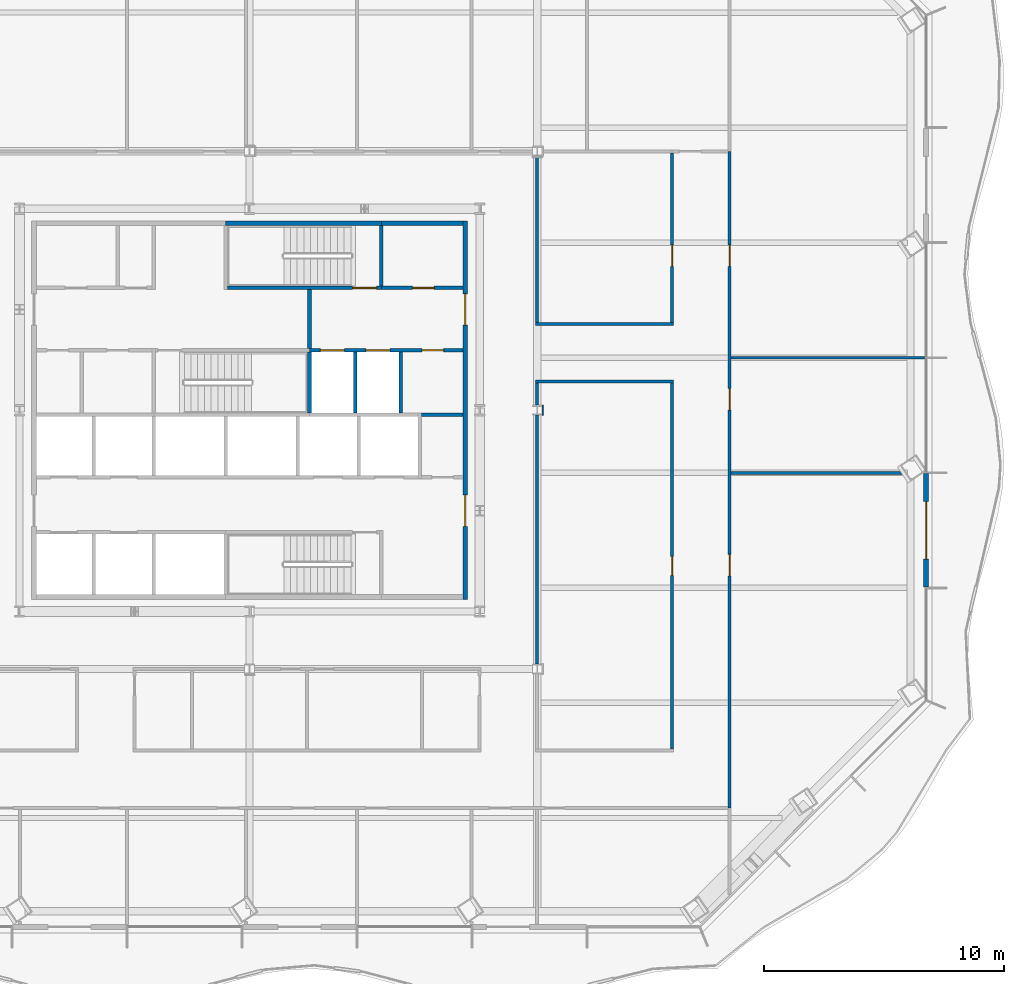
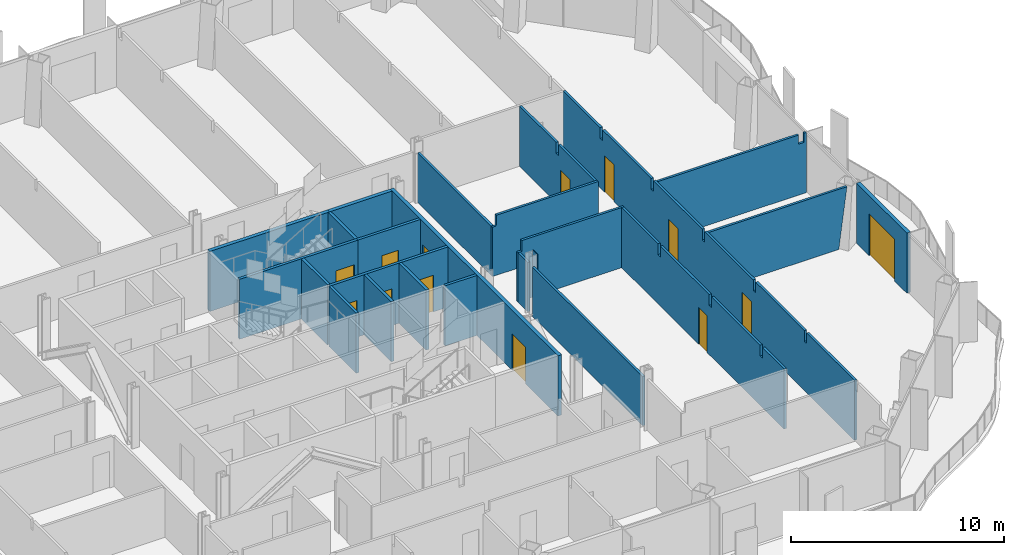
# One storey, part 11 of 22: 24 walls, 13 doors, 13 openings.
"""IFC4 building model written with IfcOpenShell, lengths in metres."""

from ifc_helpers import new_model, si_unit, direction, frame, frame_2d, origin, place, context, subcontext, project, spatial, polyline, rectangle, outline, extrude, material, layer, layer_set, type_object, element, fill, save


model = new_model("IFC4")

# Units and contexts
model_context = context("Model", 3, precision=1e-05, world=origin(), true_north=direction((0.0, 1.0)))
body_context = subcontext(model_context, "Body", "Model", "MODEL_VIEW")
ifc_project = project(units=[si_unit("LENGTHUNIT", "METRE"), si_unit("AREAUNIT", "SQUARE_METRE"), si_unit("VOLUMEUNIT", "CUBIC_METRE"), si_unit("PLANEANGLEUNIT", "RADIAN"), si_unit("MASSUNIT", "GRAM", prefix="KILO")], contexts=[model_context])

# Site, building, storey
site_placement = place(None, origin())
site = spatial("IfcSite", under=ifc_project, at=site_placement, CompositionType="ELEMENT")
building_placement = place(site_placement, origin())
building = spatial("IfcBuilding", under=site, at=building_placement, Name="Cairn Pilgrim Tower", CompositionType="ELEMENT")
storey_placement = place(building_placement, frame((0.0, 0.0, 112.199951171875)))
storey = spatial("IfcBuildingStorey", under=building, at=storey_placement, Name="L27", CompositionType="ELEMENT", Elevation=112.199951171875)

# Wall, opening, door
ifc_material_1 = material(Name="Bronze anodised aluminium insulated sandwich panel with mineral wool fill", Category="aluminium")
ifc_layer_1 = layer(ifc_material_1, 0.199951171875)
ifc_layer_set_1 = layer_set([ifc_layer_1], Name="BRONZE INFILL FRAME WALL 200")
wall_type_1 = type_object("IfcWallType", Name="BRONZE INFILL FRAME WALL 200", PredefinedType="NOTDEFINED", material=ifc_layer_set_1)
wall_1_placement = place(storey_placement, frame((35.429443359375, -4.983642578125, 0.0), z_axis=(0.0, 0.0, 1.0), x_axis=(0.0, 1.0, 0.0)))
wall_1 = element("IfcWall", 1, at=wall_1_placement, inside=storey, type_object=wall_type_1, Name="Bronze infill frame wall IW-E2", PredefinedType="NOTDEFINED", context=body_context, shape_type="SweptSolid", body=[
    extrude(rectangle(XDim=4.739990234375, YDim=0.199951171875, at=frame_2d((2.3701171875, 0.0))), origin(), (0.0, 0.0, 1.0), 3.449951171875),
])
opening_1_placement = place(wall_1_placement, frame((1.169677734375, 0.0, 0.0)))
opening_1 = element("IfcOpeningElement", 2, at=opening_1_placement, cuts=wall_1, Name="Opening 2724B", PredefinedType="OPENING", context=body_context, shape_type="SweptSolid", body=[
    extrude(rectangle(XDim=2.39990234375, YDim=2.39990234375, at=frame_2d((1.199951171875, 1.199951171875))), frame((0.0, 0.10986328125, 0.0), z_axis=(0.0, -1.0, 0.0), x_axis=(1.0, 0.0, 0.0)), (0.0, 0.0, 1.0), 0.219970703125),
])
ifc_material_2 = material(Name="Bronze anodised aluminium frame with tinted low-E glass", Category="aluminium")
door_type_1 = type_object("IfcDoorType", Name="BALCONY SLIDING DOOR 2400x2400", OperationType="DOUBLE_DOOR_SLIDING", PredefinedType="DOOR", material=ifc_material_2)
door_1_placement = place(opening_1_placement, origin())
door_1 = element("IfcDoor", 3, at=door_1_placement, inside=storey, type_object=door_type_1, Name="Balcony sliding door 2724B", OperationType="SINGLE_SWING_LEFT", OverallHeight=2.39990234375, OverallWidth=2.39990234375, PredefinedType="DOOR", context=body_context, shape_type="SweptSolid", body=[
    extrude(rectangle(XDim=2.39990234375, YDim=2.39990234375, at=frame_2d((1.199951171875, 1.199951171875))), frame((0.0, 0.02490234375, 0.0), z_axis=(0.0, -1.0, 0.0), x_axis=(1.0, 0.0, 0.0)), (0.0, 0.0, 1.0), 0.050048828125),
])
fill(opening_1, door_1)

# Wall
ifc_material_3 = material(Name="Concrete C32/40", Category="concrete")
ifc_layer_2 = layer(ifc_material_3, 0.199951171875)
ifc_layer_set_2 = layer_set([ifc_layer_2], Name="CORE OUTER WALL 200 EI 120")
wall_type_2 = type_object("IfcWallType", Name="CORE OUTER WALL 200 EI 120", PredefinedType="SOLIDWALL", material=ifc_layer_set_2)
wall_2_placement = place(storey_placement, frame((12.699951171875, 10.199951171875, 0.0), z_axis=(0.0, 0.0, 1.0), x_axis=(1.0, 0.0, 0.0)))
element("IfcWall", 4, at=wall_2_placement, inside=storey, type_object=wall_type_2, Name="CW:L27:H11-3", PredefinedType="SOLIDWALL", context=body_context, shape_type="SweptSolid", body=[
    extrude(rectangle(XDim=3.400146484375, YDim=0.199951171875, at=frame_2d((1.7001953125, 0.0))), origin(), (0.0, 0.0, 1.0), 3.449951171875),
])

# Wall, openings, doors
wall_3_placement = place(storey_placement, frame((16.199951171875, -5.5, 0.0), z_axis=(0.0, 0.0, 1.0), x_axis=(0.0, 1.0, 0.0)))
wall_3 = element("IfcWall", 5, at=wall_3_placement, inside=storey, type_object=wall_type_2, Name="CW:L27:V33", PredefinedType="SOLIDWALL", context=body_context, shape_type="SweptSolid", body=[
    extrude(rectangle(XDim=15.800048828125, YDim=0.199951171875, at=frame_2d((7.89990234375, 0.0))), origin(), (0.0, 0.0, 1.0), 3.449951171875),
])
opening_2_placement = place(wall_3_placement, frame((3.050048828125, 0.0, 0.0)))
opening_2 = element("IfcOpeningElement", 6, at=opening_2_placement, cuts=wall_3, Name="Opening CD-E1", PredefinedType="OPENING", context=body_context, shape_type="SweptSolid", body=[
    extrude(rectangle(XDim=1.300048828125, YDim=2.10009765625, at=frame_2d((0.64990234375, 1.050048828125))), frame((0.0, 0.10986328125, 0.0), z_axis=(0.0, -1.0, 0.0), x_axis=(1.0, 0.0, 0.0)), (0.0, 0.0, 1.0), 0.219970703125),
])
opening_3_placement = place(wall_3_placement, frame((11.449951171875, 0.0, 0.0)))
opening_3 = element("IfcOpeningElement", 7, at=opening_3_placement, cuts=wall_3, Name="Opening CD-E2", PredefinedType="OPENING", context=body_context, shape_type="SweptSolid", body=[
    extrude(rectangle(XDim=1.300048828125, YDim=2.10009765625, at=frame_2d((0.64990234375, 1.050048828125))), frame((0.0, 0.10986328125, 0.0), z_axis=(0.0, -1.0, 0.0), x_axis=(1.0, 0.0, 0.0)), (0.0, 0.0, 1.0), 0.219970703125),
])
ifc_material_4 = material(Name="Painted steel", Category="steel")
door_type_2 = type_object("IfcDoorType", Name="CORE LOBBY DOOR 1300x2100", OperationType="DOUBLE_DOOR_SINGLE_SWING", PredefinedType="DOOR", material=ifc_material_4)
door_2_placement = place(opening_2_placement, origin())
door_2 = element("IfcDoor", 8, at=door_2_placement, inside=storey, type_object=door_type_2, Name="CD-E1", OperationType="DOUBLE_DOOR_SINGLE_SWING", OverallHeight=2.10009765625, OverallWidth=1.300048828125, PredefinedType="DOOR", context=body_context, shape_type="SweptSolid", body=[
    extrude(rectangle(XDim=1.300048828125, YDim=2.10009765625, at=frame_2d((0.64990234375, 1.050048828125))), frame((0.0, 0.02490234375, 0.0), z_axis=(0.0, -1.0, 0.0), x_axis=(1.0, 0.0, 0.0)), (0.0, 0.0, 1.0), 0.050048828125),
])
fill(opening_2, door_2)
door_3_placement = place(opening_3_placement, origin())
door_3 = element("IfcDoor", 9, at=door_3_placement, inside=storey, type_object=door_type_2, Name="CD-E2", OperationType="DOUBLE_DOOR_SINGLE_SWING", OverallHeight=2.10009765625, OverallWidth=1.300048828125, PredefinedType="DOOR", context=body_context, shape_type="SweptSolid", body=[
    extrude(rectangle(XDim=1.300048828125, YDim=2.10009765625, at=frame_2d((0.64990234375, 1.050048828125))), frame((0.0, 0.02490234375, 0.0), z_axis=(0.0, -1.0, 0.0), x_axis=(1.0, 0.0, 0.0)), (0.0, 0.0, 1.0), 0.050048828125),
])
fill(opening_3, door_3)

# Wall
ifc_layer_3 = layer(ifc_material_3, 0.14990234375)
ifc_layer_set_3 = layer_set([ifc_layer_3], Name="CORE PARTITION 150 EI 60")
wall_type_3 = type_object("IfcWallType", Name="CORE PARTITION 150 EI 60", PredefinedType="PARTITIONING", material=ifc_layer_set_3)
wall_4_placement = place(storey_placement, frame((14.375, 2.199951171875, 0.0), z_axis=(0.0, 0.0, 1.0), x_axis=(1.0, 0.0, 0.0)))
element("IfcWall", 10, at=wall_4_placement, inside=storey, type_object=wall_type_3, Name="CW:L27:H06", PredefinedType="PARTITIONING", context=body_context, shape_type="SweptSolid", body=[
    extrude(rectangle(XDim=1.72509765625, YDim=0.14990234375, at=frame_2d((0.862548828125, 0.0))), origin(), (0.0, 0.0, 1.0), 3.449951171875),
])

# Wall, openings, doors
ifc_layer_4 = layer(ifc_material_3, 0.14990234375)
ifc_layer_set_4 = layer_set([ifc_layer_4], Name="CORE SHAFT WALL 150 EI 120")
wall_type_4 = type_object("IfcWallType", Name="CORE SHAFT WALL 150 EI 120", PredefinedType="SOLIDWALL", material=ifc_layer_set_4)
wall_5_placement = place(storey_placement, frame((9.699951171875, 4.89990234375, 0.0), z_axis=(0.0, 0.0, 1.0), x_axis=(1.0, 0.0, 0.0)))
wall_5 = element("IfcWall", 11, at=wall_5_placement, inside=storey, type_object=wall_type_4, Name="CW:L27:H08-2", PredefinedType="SOLIDWALL", context=body_context, shape_type="SweptSolid", body=[
    extrude(rectangle(XDim=6.400146484375, YDim=0.14990234375, at=frame_2d((3.2001953125, 0.0))), origin(), (0.0, 0.0, 1.0), 3.449951171875),
])
opening_4_placement = place(wall_5_placement, frame((0.449951171875, 0.0, 0.0)))
opening_4 = element("IfcOpeningElement", 12, at=opening_4_placement, cuts=wall_5, Name="Opening LD-FF1", PredefinedType="OPENING", context=body_context, shape_type="SweptSolid", body=[
    extrude(rectangle(XDim=1.0, YDim=2.10009765625, at=frame_2d((0.5, 1.050048828125))), frame((0.0, 0.0849609375, 0.0), z_axis=(0.0, -1.0, 0.0), x_axis=(1.0, 0.0, 0.0)), (0.0, 0.0, 1.0), 0.169921875),
])
opening_5_placement = place(wall_5_placement, frame((2.35009765625, 0.0, 0.0)))
opening_5 = element("IfcOpeningElement", 13, at=opening_5_placement, cuts=wall_5, Name="Opening LD-FF2", PredefinedType="OPENING", context=body_context, shape_type="SweptSolid", body=[
    extrude(rectangle(XDim=1.0, YDim=2.10009765625, at=frame_2d((0.5, 1.050048828125))), frame((0.0, 0.0849609375, 0.0), z_axis=(0.0, -1.0, 0.0), x_axis=(1.0, 0.0, 0.0)), (0.0, 0.0, 1.0), 0.169921875),
])
opening_6_placement = place(wall_5_placement, frame((4.699951171875, 0.0, 0.0)))
opening_6 = element("IfcOpeningElement", 14, at=opening_6_placement, cuts=wall_5, Name="Opening RD-R3E", PredefinedType="OPENING", context=body_context, shape_type="SweptSolid", body=[
    extrude(rectangle(XDim=0.89990234375, YDim=2.10009765625, at=frame_2d((0.449951171875, 1.050048828125))), frame((0.0, 0.0849609375, 0.0), z_axis=(0.0, -1.0, 0.0), x_axis=(1.0, 0.0, 0.0)), (0.0, 0.0, 1.0), 0.169921875),
])
ifc_material_5 = material(Name="Stainless steel", Category="steel")
door_type_3 = type_object("IfcDoorType", Name="LIFT LANDING DOOR FIRE 1000x2100", OperationType="DOUBLE_DOOR_SLIDING", PredefinedType="DOOR", material=ifc_material_5)
door_4_placement = place(opening_4_placement, origin())
door_4 = element("IfcDoor", 15, at=door_4_placement, inside=storey, type_object=door_type_3, Name="LANDING DOOR FF1", OperationType="DOUBLE_DOOR_SLIDING", OverallHeight=2.10009765625, OverallWidth=1.0, PredefinedType="DOOR", context=body_context, shape_type="SweptSolid", body=[
    extrude(rectangle(XDim=1.0, YDim=2.10009765625, at=frame_2d((0.5, 1.050048828125))), frame((0.0, 0.02490234375, 0.0), z_axis=(0.0, -1.0, 0.0), x_axis=(1.0, 0.0, 0.0)), (0.0, 0.0, 1.0), 0.050048828125),
])
fill(opening_4, door_4)
door_5_placement = place(opening_5_placement, origin())
door_5 = element("IfcDoor", 16, at=door_5_placement, inside=storey, type_object=door_type_3, Name="LANDING DOOR FF2", OperationType="DOUBLE_DOOR_SLIDING", OverallHeight=2.10009765625, OverallWidth=1.0, PredefinedType="DOOR", context=body_context, shape_type="SweptSolid", body=[
    extrude(rectangle(XDim=1.0, YDim=2.10009765625, at=frame_2d((0.5, 1.050048828125))), frame((0.0, 0.02490234375, 0.0), z_axis=(0.0, -1.0, 0.0), x_axis=(1.0, 0.0, 0.0)), (0.0, 0.0, 1.0), 0.050048828125),
])
fill(opening_5, door_5)
door_type_4 = type_object("IfcDoorType", Name="SERVICE ROOM DOOR 900x2100", OperationType="SINGLE_SWING_LEFT", PredefinedType="DOOR", material=ifc_material_4)
door_6_placement = place(opening_6_placement, origin())
door_6 = element("IfcDoor", 17, at=door_6_placement, inside=storey, type_object=door_type_4, Name="RD-R3E", OperationType="SINGLE_SWING_LEFT", OverallHeight=2.10009765625, OverallWidth=0.89990234375, PredefinedType="DOOR", context=body_context, shape_type="SweptSolid", body=[
    extrude(rectangle(XDim=0.89990234375, YDim=2.10009765625, at=frame_2d((0.449951171875, 1.050048828125))), frame((0.0, 0.02490234375, 0.0), z_axis=(0.0, -1.0, 0.0), x_axis=(1.0, 0.0, 0.0)), (0.0, 0.0, 1.0), 0.050048828125),
])
fill(opening_6, door_6)

# Wall, opening, door
wall_6_placement = place(storey_placement, frame((12.699951171875, 7.5, 0.0), z_axis=(0.0, 0.0, 1.0), x_axis=(1.0, 0.0, 0.0)))
wall_6 = element("IfcWall", 18, at=wall_6_placement, inside=storey, type_object=wall_type_4, Name="CW:L27:H10-2", PredefinedType="SOLIDWALL", context=body_context, shape_type="SweptSolid", body=[
    extrude(rectangle(XDim=3.400146484375, YDim=0.14990234375, at=frame_2d((1.7001953125, 0.0))), origin(), (0.0, 0.0, 1.0), 3.449951171875),
])
opening_7_placement = place(wall_6_placement, frame((1.300048828125, 0.0, 0.0)))
opening_7 = element("IfcOpeningElement", 19, at=opening_7_placement, cuts=wall_6, Name="Opening RD-R4E", PredefinedType="OPENING", context=body_context, shape_type="SweptSolid", body=[
    extrude(rectangle(XDim=0.89990234375, YDim=2.10009765625, at=frame_2d((0.449951171875, 1.050048828125))), frame((0.0, 0.0849609375, 0.0), z_axis=(0.0, -1.0, 0.0), x_axis=(1.0, 0.0, 0.0)), (0.0, 0.0, 1.0), 0.169921875),
])
door_7_placement = place(opening_7_placement, origin())
door_7 = element("IfcDoor", 20, at=door_7_placement, inside=storey, type_object=door_type_4, Name="RD-R4E", OperationType="SINGLE_SWING_RIGHT", OverallHeight=2.10009765625, OverallWidth=0.89990234375, PredefinedType="DOOR", context=body_context, shape_type="SweptSolid", body=[
    extrude(rectangle(XDim=0.89990234375, YDim=2.10009765625, at=frame_2d((0.449951171875, 1.050048828125))), frame((0.0, 0.02490234375, 0.0), z_axis=(0.0, -1.0, 0.0), x_axis=(1.0, 0.0, 0.0)), (0.0, 0.0, 1.0), 0.050048828125),
])
fill(opening_7, door_7)

# Walls
wall_7_placement = place(storey_placement, frame((9.699951171875, 4.97509765625, 0.0), z_axis=(0.0, 0.0, 1.0), x_axis=(0.0, 1.0, 0.0)))
element("IfcWall", 21, at=wall_7_placement, inside=storey, type_object=wall_type_4, Name="CW:L27:V26", PredefinedType="SOLIDWALL", context=body_context, shape_type="SweptSolid", body=[
    extrude(rectangle(XDim=2.449951171875, YDim=0.14990234375, at=frame_2d((1.22509765625, 0.0))), origin(), (0.0, 0.0, 1.0), 3.449951171875),
])
for number, where, z_axis, x_axis, name in (
    (22, (11.60009765625, 2.27490234375, 0.0), (0.0, 0.0, 1.0), (0.0, 1.0, 0.0), "CW:L27:V27"),
    (23, (13.5, 2.27490234375, 0.0), (0.0, 0.0, 1.0), (0.0, 1.0, 0.0), "CW:L27:V31"),
):
    element("IfcWall", number, at=place(storey_placement, frame(where, z_axis=z_axis, x_axis=x_axis)), inside=storey, type_object=wall_type_4, Name=name, PredefinedType="SOLIDWALL", context=body_context, shape_type="SweptSolid", body=[
        extrude(rectangle(XDim=2.550048828125, YDim=0.14990234375, at=frame_2d((1.27490234375, 0.0))), origin(), (0.0, 0.0, 1.0), 3.449951171875),
    ])

# Wall, openings, doors
ifc_material_6 = material(Name="Gypsum partition")
ifc_layer_5 = layer(ifc_material_6, 0.125)
ifc_layer_set_5 = layer_set([ifc_layer_5], Name="PARTITION 125 DRYWALL EI 60")
wall_type_5 = type_object("IfcWallType", Name="PARTITION 125 DRYWALL EI 60", PredefinedType="PARTITIONING", material=ifc_layer_set_5)
wall_8_placement = place(storey_placement, frame((27.22998046875, -14.199951171875, 0.0), z_axis=(0.0, 0.0, 1.0), x_axis=(0.0, 1.0, 0.0)))
wall_8 = element("IfcWall", 24, at=wall_8_placement, inside=storey, type_object=wall_type_5, Name="PARTITION W017", PredefinedType="PARTITIONING", context=body_context, shape_type="SweptSolid", body=[
    extrude(outline(polyline([(0.0, 0.0), (27.39990234375, 0.0), (27.39990234375, 3.449951171875), (23.909912109375, 3.449951171875), (23.907958984375, 2.830078125), (23.68994140625, 2.830078125), (23.68798828125, 3.449951171875), (19.110107421875, 3.449951171875), (19.10791015625, 2.830078125), (18.889892578125, 2.830078125), (18.887939453125, 3.449951171875), (14.31005859375, 3.449951171875), (14.30810546875, 2.830078125), (14.090087890625, 2.830078125), (14.087890625, 3.449951171875), (9.510009765625, 3.449951171875), (9.508056640625, 2.830078125), (9.2900390625, 2.830078125), (9.2880859375, 3.449951171875), (4.7099609375, 3.449951171875), (4.7080078125, 2.830078125), (4.489990234375, 2.830078125), (4.488037109375, 3.449951171875), (0.0, 3.449951171875), (0.0, 0.0)])), frame((0.0, 0.0625, 0.0), z_axis=(0.0, -1.0, 0.0), x_axis=(1.0, 0.0, 0.0)), (0.0, 0.0, 1.0), 0.125),
])
opening_8_placement = place(wall_8_placement, frame((9.68603515625, 0.0, 0.0)))
opening_8 = element("IfcOpeningElement", 25, at=opening_8_placement, cuts=wall_8, Name="Opening 2724", PredefinedType="OPENING", context=body_context, shape_type="SweptSolid", body=[
    extrude(rectangle(XDim=0.89990234375, YDim=2.10009765625, at=frame_2d((0.449951171875, 1.050048828125))), frame((0.0, 0.072509765625, 0.0), z_axis=(0.0, -1.0, 0.0), x_axis=(1.0, 0.0, 0.0)), (0.0, 0.0, 1.0), 0.14501953125),
])
opening_9_placement = place(wall_8_placement, frame((16.60009765625, 0.0, 0.0)))
opening_9 = element("IfcOpeningElement", 26, at=opening_9_placement, cuts=wall_8, Name="Opening 2725", PredefinedType="OPENING", context=body_context, shape_type="SweptSolid", body=[
    extrude(rectangle(XDim=0.89990234375, YDim=2.10009765625, at=frame_2d((0.449951171875, 1.050048828125))), frame((0.0, 0.072509765625, 0.0), z_axis=(0.0, -1.0, 0.0), x_axis=(1.0, 0.0, 0.0)), (0.0, 0.0, 1.0), 0.14501953125),
])
opening_10_placement = place(wall_8_placement, frame((22.60009765625, 0.0, 0.0)))
opening_10 = element("IfcOpeningElement", 27, at=opening_10_placement, cuts=wall_8, Name="Opening 2726", PredefinedType="OPENING", context=body_context, shape_type="SweptSolid", body=[
    extrude(rectangle(XDim=0.89990234375, YDim=2.10009765625, at=frame_2d((0.449951171875, 1.050048828125))), frame((0.0, 0.072509765625, 0.0), z_axis=(0.0, -1.0, 0.0), x_axis=(1.0, 0.0, 0.0)), (0.0, 0.0, 1.0), 0.14501953125),
])
ifc_material_7 = material(Name="Steel-faced fire door leaf", Category="steel")
door_type_5 = type_object("IfcDoorType", Name="FIRE DOOR 900x2100 FD30S", OperationType="NOTDEFINED", PredefinedType="DOOR", material=ifc_material_7)
door_8_placement = place(opening_8_placement, frame((0.89990234375, 0.0, 0.0), z_axis=(0.0, 0.0, 1.0), x_axis=(-1.0, 0.0, 0.0)))
door_8 = element("IfcDoor", 28, at=door_8_placement, inside=storey, type_object=door_type_5, Name="DOOR 2724", OperationType="SINGLE_SWING_LEFT", OverallHeight=2.10009765625, OverallWidth=0.89990234375, PredefinedType="DOOR", context=body_context, shape_type="SweptSolid", body=[
    extrude(rectangle(XDim=0.89990234375, YDim=2.10009765625, at=frame_2d((0.449951171875, 1.050048828125))), frame((0.0, 0.02490234375, 0.0), z_axis=(0.0, -1.0, 0.0), x_axis=(1.0, 0.0, 0.0)), (0.0, 0.0, 1.0), 0.050048828125),
])
fill(opening_8, door_8)
door_9_placement = place(opening_9_placement, frame((0.89990234375, 0.0, 0.0), z_axis=(0.0, 0.0, 1.0), x_axis=(-1.0, 0.0, 0.0)))
door_9 = element("IfcDoor", 29, at=door_9_placement, inside=storey, type_object=door_type_5, Name="DOOR 2725", OperationType="SINGLE_SWING_RIGHT", OverallHeight=2.10009765625, OverallWidth=0.89990234375, PredefinedType="DOOR", context=body_context, shape_type="SweptSolid", body=[
    extrude(rectangle(XDim=0.89990234375, YDim=2.10009765625, at=frame_2d((0.449951171875, 1.050048828125))), frame((0.0, 0.02490234375, 0.0), z_axis=(0.0, -1.0, 0.0), x_axis=(1.0, 0.0, 0.0)), (0.0, 0.0, 1.0), 0.050048828125),
])
fill(opening_9, door_9)
door_10_placement = place(opening_10_placement, frame((0.89990234375, 0.0, 0.0), z_axis=(0.0, 0.0, 1.0), x_axis=(-1.0, 0.0, 0.0)))
door_10 = element("IfcDoor", 30, at=door_10_placement, inside=storey, type_object=door_type_5, Name="DOOR 2726", OperationType="SINGLE_SWING_LEFT", OverallHeight=2.10009765625, OverallWidth=0.89990234375, PredefinedType="DOOR", context=body_context, shape_type="SweptSolid", body=[
    extrude(rectangle(XDim=0.89990234375, YDim=2.10009765625, at=frame_2d((0.449951171875, 1.050048828125))), frame((0.0, 0.02490234375, 0.0), z_axis=(0.0, -1.0, 0.0), x_axis=(1.0, 0.0, 0.0)), (0.0, 0.0, 1.0), 0.050048828125),
])
fill(opening_10, door_10)

# Wall, opening, door
wall_9_placement = place(storey_placement, frame((24.830078125, -11.737548828125, 0.0), z_axis=(0.0, 0.0, 1.0), x_axis=(0.0, 1.0, 0.0)))
wall_9 = element("IfcWall", 31, at=wall_9_placement, inside=storey, type_object=wall_type_5, Name="PARTITION W031", PredefinedType="PARTITIONING", context=body_context, shape_type="SweptSolid", body=[
    extrude(outline(polyline([(0.0, 0.0), (15.275146484375, 0.0), (15.27490234375, 3.449951171875), (11.847412109375, 3.449951171875), (11.845458984375, 2.830078125), (11.62744140625, 2.830078125), (11.62548828125, 3.449951171875), (7.047607421875, 3.449951171875), (7.04541015625, 2.830078125), (6.827392578125, 2.830078125), (6.825439453125, 3.449951171875), (2.24755859375, 3.449951171875), (2.24560546875, 2.830078125), (2.027587890625, 2.830078125), (2.025390625, 3.449951171875), (0.0, 3.449951171875), (0.0, 0.0)])), frame((0.0, 0.0625, 0.0), z_axis=(0.0, -1.0, 0.0), x_axis=(1.0, 0.0, 0.0)), (0.0, 0.0, 1.0), 0.125),
])
opening_11_placement = place(wall_9_placement, frame((7.237548828125, 0.0, 0.0)))
opening_11 = element("IfcOpeningElement", 32, at=opening_11_placement, cuts=wall_9, Name="Opening 2728", PredefinedType="OPENING", context=body_context, shape_type="SweptSolid", body=[
    extrude(rectangle(XDim=0.800048828125, YDim=2.10009765625, at=frame_2d((0.39990234375, 1.050048828125))), frame((0.0, 0.072509765625, 0.0), z_axis=(0.0, -1.0, 0.0), x_axis=(1.0, 0.0, 0.0)), (0.0, 0.0, 1.0), 0.14501953125),
])
door_type_6 = type_object("IfcDoorType", Name="FIRE DOOR 800x2100 FD30S", OperationType="NOTDEFINED", PredefinedType="DOOR", material=ifc_material_7)
door_11_placement = place(opening_11_placement, origin())
door_11 = element("IfcDoor", 33, at=door_11_placement, inside=storey, type_object=door_type_6, Name="DOOR 2728", OperationType="SINGLE_SWING_LEFT", OverallHeight=2.10009765625, OverallWidth=0.800048828125, PredefinedType="DOOR", context=body_context, shape_type="SweptSolid", body=[
    extrude(rectangle(XDim=0.800048828125, YDim=2.10009765625, at=frame_2d((0.39990234375, 1.050048828125))), frame((0.0, 0.02490234375, 0.0), z_axis=(0.0, -1.0, 0.0), x_axis=(1.0, 0.0, 0.0)), (0.0, 0.0, 1.0), 0.050048828125),
])
fill(opening_11, door_11)

# Walls
wall_10_placement = place(storey_placement, frame((19.199951171875, -8.1875, 0.0), z_axis=(0.0, 0.0, 1.0), x_axis=(0.0, 1.0, 0.0)))
element("IfcWall", 34, at=wall_10_placement, inside=storey, type_object=wall_type_5, Name="PARTITION W038", PredefinedType="PARTITIONING", context=body_context, shape_type="SweptSolid", body=[
    extrude(rectangle(XDim=10.375, YDim=0.125, at=frame_2d((5.1875, 0.0))), origin(), (0.0, 0.0, 1.0), 2.830078125),
])
wall_11_placement = place(storey_placement, frame((27.29248046875, -0.214111328125, 0.0), z_axis=(0.0, 0.0, 1.0), x_axis=(1.0, 0.0, 0.0)))
element("IfcWall", 35, at=wall_11_placement, inside=storey, type_object=wall_type_5, Name="PARTITION W041", PredefinedType="PARTITIONING", context=body_context, shape_type="SweptSolid", body=[
    extrude(outline(polyline([(0.0, 0.0), (7.064208984375, 0.0), (7.175048828125, 0.862548828125), (7.2861328125, 1.72509765625), (7.39697265625, 2.587646484375), (7.5078125, 3.449951171875), (0.0, 3.449951171875), (0.0, 2.587646484375), (0.0, 1.72509765625), (0.0, 0.862548828125), (0.0, 0.0)])), frame((0.0, 0.0625, 0.0), z_axis=(0.0, -1.0, 0.0), x_axis=(1.0, 0.0, 0.0)), (0.0, 0.0, 1.0), 0.125),
])
wall_12_placement = place(storey_placement, frame((19.199951171875, 2.612548828125, 0.0), z_axis=(0.0, 0.0, 1.0), x_axis=(0.0, 1.0, 0.0)))
element("IfcWall", 36, at=wall_12_placement, inside=storey, type_object=wall_type_5, Name="PARTITION W048", PredefinedType="PARTITIONING", context=body_context, shape_type="SweptSolid", body=[
    extrude(rectangle(XDim=0.925048828125, YDim=0.125, at=frame_2d((0.46240234375, 0.0))), origin(), (0.0, 0.0, 1.0), 2.830078125),
])
wall_13_placement = place(storey_placement, frame((19.137451171875, 3.60009765625, 0.0), z_axis=(0.0, 0.0, 1.0), x_axis=(1.0, 0.0, 0.0)))
element("IfcWall", 37, at=wall_13_placement, inside=storey, type_object=wall_type_5, Name="PARTITION W049", PredefinedType="PARTITIONING", context=body_context, shape_type="SweptSolid", body=[
    extrude(outline(polyline([(0.0, 0.0), (5.755126953125, 0.0), (5.7548828125, 3.449951171875), (0.21240234375, 3.449951171875), (0.21044921875, 2.830078125), (0.0, 2.830078125), (0.0, 0.0)])), frame((0.0, 0.0625, 0.0), z_axis=(0.0, -1.0, 0.0), x_axis=(1.0, 0.0, 0.0)), (0.0, 0.0, 1.0), 0.125),
])
wall_14_placement = place(storey_placement, frame((27.29248046875, 4.5859375, 0.0), z_axis=(0.0, 0.0, 1.0), x_axis=(1.0, 0.0, 0.0)))
element("IfcWall", 38, at=wall_14_placement, inside=storey, type_object=wall_type_5, Name="PARTITION W051", PredefinedType="PARTITIONING", context=body_context, shape_type="SweptSolid", body=[
    extrude(outline(polyline([(0.0, 0.0), (8.076904296875, 0.0), (8.076904296875, 3.449951171875), (7.95751953125, 3.449951171875), (7.95556640625, 2.929931640625), (7.657470703125, 2.929931640625), (7.655517578125, 3.449951171875), (0.0, 3.449951171875), (0.0, 0.0)])), frame((0.0, 0.0625, 0.0), z_axis=(0.0, -1.0, 0.0), x_axis=(1.0, 0.0, 0.0)), (0.0, 0.0, 1.0), 0.125),
])
wall_15_placement = place(storey_placement, frame((19.137451171875, 6.0, 0.0), z_axis=(0.0, 0.0, 1.0), x_axis=(1.0, 0.0, 0.0)))
element("IfcWall", 39, at=wall_15_placement, inside=storey, type_object=wall_type_5, Name="PARTITION W053", PredefinedType="PARTITIONING", context=body_context, shape_type="SweptSolid", body=[
    extrude(outline(polyline([(0.0, 0.0), (5.755126953125, 0.0), (5.7548828125, 3.449951171875), (0.21240234375, 3.449951171875), (0.21044921875, 2.830078125), (0.0, 2.830078125), (0.0, 0.0)])), frame((0.0, 0.0625, 0.0), z_axis=(0.0, -1.0, 0.0), x_axis=(1.0, 0.0, 0.0)), (0.0, 0.0, 1.0), 0.125),
])
wall_16_placement = place(storey_placement, frame((19.199951171875, 6.0625, 0.0), z_axis=(0.0, 0.0, 1.0), x_axis=(0.0, 1.0, 0.0)))
element("IfcWall", 40, at=wall_16_placement, inside=storey, type_object=wall_type_5, Name="PARTITION W054", PredefinedType="PARTITIONING", context=body_context, shape_type="SweptSolid", body=[
    extrude(rectangle(XDim=6.925048828125, YDim=0.125, at=frame_2d((3.46240234375, 0.0))), origin(), (0.0, 0.0, 1.0), 2.830078125),
])

# Wall, opening, door
wall_17_placement = place(storey_placement, frame((24.830078125, 6.0625, 0.0), z_axis=(0.0, 0.0, 1.0), x_axis=(0.0, 1.0, 0.0)))
wall_17 = element("IfcWall", 41, at=wall_17_placement, inside=storey, type_object=wall_type_5, Name="PARTITION W055", PredefinedType="PARTITIONING", context=body_context, shape_type="SweptSolid", body=[
    extrude(outline(polyline([(0.0, 0.0), (7.074951171875, 0.0), (7.074951171875, 3.449951171875), (3.6474609375, 3.449951171875), (3.6455078125, 2.830078125), (3.427490234375, 2.830078125), (3.425537109375, 3.449951171875), (0.0, 3.449951171875), (0.0, 0.0)])), frame((0.0, 0.0625, 0.0), z_axis=(0.0, -1.0, 0.0), x_axis=(1.0, 0.0, 0.0)), (0.0, 0.0, 1.0), 0.125),
])
opening_12_placement = place(wall_17_placement, frame((2.33740234375, 0.0, 0.0)))
opening_12 = element("IfcOpeningElement", 42, at=opening_12_placement, cuts=wall_17, Name="Opening 2727", PredefinedType="OPENING", context=body_context, shape_type="SweptSolid", body=[
    extrude(rectangle(XDim=0.89990234375, YDim=2.10009765625, at=frame_2d((0.449951171875, 1.050048828125))), frame((0.0, 0.072509765625, 0.0), z_axis=(0.0, -1.0, 0.0), x_axis=(1.0, 0.0, 0.0)), (0.0, 0.0, 1.0), 0.14501953125),
])
door_12_placement = place(opening_12_placement, origin())
door_12 = element("IfcDoor", 43, at=door_12_placement, inside=storey, type_object=door_type_5, Name="DOOR 2727", OperationType="SINGLE_SWING_RIGHT", OverallHeight=2.10009765625, OverallWidth=0.89990234375, PredefinedType="DOOR", context=body_context, shape_type="SweptSolid", body=[
    extrude(rectangle(XDim=0.89990234375, YDim=2.10009765625, at=frame_2d((0.449951171875, 1.050048828125))), frame((0.0, 0.02490234375, 0.0), z_axis=(0.0, -1.0, 0.0), x_axis=(1.0, 0.0, 0.0)), (0.0, 0.0, 1.0), 0.050048828125),
])
fill(opening_12, door_12)

# Wall
ifc_layer_6 = layer(ifc_material_6, 0.050048828125)
ifc_layer_set_6 = layer_set([ifc_layer_6], Name="PARTITION 50 DRYWALL EI 60")
wall_type_6 = type_object("IfcWallType", Name="PARTITION 50 DRYWALL EI 60", PredefinedType="PARTITIONING", material=ifc_layer_set_6)
wall_18_placement = place(storey_placement, frame((19.429443359375, 2.1875, 0.0), z_axis=(0.0, 0.0, 1.0), x_axis=(0.0, 1.0, 0.0)))
element("IfcWall", 44, at=wall_18_placement, inside=storey, type_object=wall_type_6, Name="COLUMN CASING WC07", PredefinedType="PARTITIONING", context=body_context, shape_type="SweptSolid", body=[
    extrude(rectangle(XDim=0.425048828125, YDim=0.050048828125, at=frame_2d((0.21240234375, 0.0))), origin(), (0.0, 0.0, 1.0), 3.449951171875),
])

# Wall, opening, door
ifc_material_8 = material(Name="Concrete C35/45", Category="concrete")
ifc_layer_7 = layer(ifc_material_8, 0.14990234375)
ifc_layer_set_7 = layer_set([ifc_layer_7], Name="STAIR SHAFT WALL 150 EI 120")
wall_type_7 = type_object("IfcWallType", Name="STAIR SHAFT WALL 150 EI 120", PredefinedType="SOLIDWALL", material=ifc_layer_set_7)
wall_19_placement = place(storey_placement, frame((6.27490234375, 7.5, 0.0), z_axis=(0.0, 0.0, 1.0), x_axis=(1.0, 0.0, 0.0)))
wall_19 = element("IfcWall", 45, at=wall_19_placement, inside=storey, type_object=wall_type_7, Name="CW:L27:H10-1", PredefinedType="SOLIDWALL", context=body_context, shape_type="SweptSolid", body=[
    extrude(rectangle(XDim=6.425048828125, YDim=0.14990234375, at=frame_2d((3.21240234375, 0.0))), origin(), (0.0, 0.0, 1.0), 3.449951171875),
])
opening_13_placement = place(wall_19_placement, frame((5.22509765625, 0.0, 0.0)))
opening_13 = element("IfcOpeningElement", 46, at=opening_13_placement, cuts=wall_19, Name="Opening SD-C", PredefinedType="OPENING", context=body_context, shape_type="SweptSolid", body=[
    extrude(rectangle(XDim=1.0, YDim=2.10009765625, at=frame_2d((0.5, 1.050048828125))), frame((0.0, 0.0849609375, 0.0), z_axis=(0.0, -1.0, 0.0), x_axis=(1.0, 0.0, 0.0)), (0.0, 0.0, 1.0), 0.169921875),
])
door_type_7 = type_object("IfcDoorType", Name="STAIR DOOR FD60S 1000x2100", OperationType="SINGLE_SWING_LEFT", PredefinedType="DOOR", material=ifc_material_4)
door_13_placement = place(opening_13_placement, origin())
door_13 = element("IfcDoor", 47, at=door_13_placement, inside=storey, type_object=door_type_7, Name="SD-C", OperationType="SINGLE_SWING_LEFT", OverallHeight=2.10009765625, OverallWidth=1.0, PredefinedType="DOOR", context=body_context, shape_type="SweptSolid", body=[
    extrude(rectangle(XDim=1.0, YDim=2.10009765625, at=frame_2d((0.5, 1.050048828125))), frame((0.0, 0.02490234375, 0.0), z_axis=(0.0, -1.0, 0.0), x_axis=(1.0, 0.0, 0.0)), (0.0, 0.0, 1.0), 0.050048828125),
])
fill(opening_13, door_13)

# Walls
wall_20_placement = place(storey_placement, frame((9.699951171875, 2.27490234375, 0.0), z_axis=(0.0, 0.0, 1.0), x_axis=(0.0, 1.0, 0.0)))
element("IfcWall", 48, at=wall_20_placement, inside=storey, type_object=wall_type_7, Name="CW:L27:V25", PredefinedType="SOLIDWALL", context=body_context, shape_type="SweptSolid", body=[
    extrude(rectangle(XDim=2.550048828125, YDim=0.14990234375, at=frame_2d((1.27490234375, 0.0))), origin(), (0.0, 0.0, 1.0), 3.449951171875),
])
wall_21_placement = place(storey_placement, frame((12.699951171875, 7.574951171875, 0.0), z_axis=(0.0, 0.0, 1.0), x_axis=(0.0, 1.0, 0.0)))
element("IfcWall", 49, at=wall_21_placement, inside=storey, type_object=wall_type_7, Name="CW:L27:V30", PredefinedType="SOLIDWALL", context=body_context, shape_type="SweptSolid", body=[
    extrude(rectangle(XDim=2.525146484375, YDim=0.14990234375, at=frame_2d((1.2626953125, 0.0))), origin(), (0.0, 0.0, 1.0), 3.449951171875),
])
ifc_layer_8 = layer(ifc_material_8, 0.199951171875)
ifc_layer_set_8 = layer_set([ifc_layer_8], Name="STAIR SHAFT WALL 200 EI 120")
wall_type_8 = type_object("IfcWallType", Name="STAIR SHAFT WALL 200 EI 120", PredefinedType="SOLIDWALL", material=ifc_layer_set_8)
wall_22_placement = place(storey_placement, frame((6.199951171875, 10.199951171875, 0.0), z_axis=(0.0, 0.0, 1.0), x_axis=(1.0, 0.0, 0.0)))
element("IfcWall", 50, at=wall_22_placement, inside=storey, type_object=wall_type_8, Name="CW:L27:H11-2", PredefinedType="SOLIDWALL", context=body_context, shape_type="SweptSolid", body=[
    extrude(rectangle(XDim=6.5, YDim=0.199951171875, at=frame_2d((3.25, 0.0))), origin(), (0.0, 0.0, 1.0), 3.449951171875),
])

save(model, "model.ifc")
